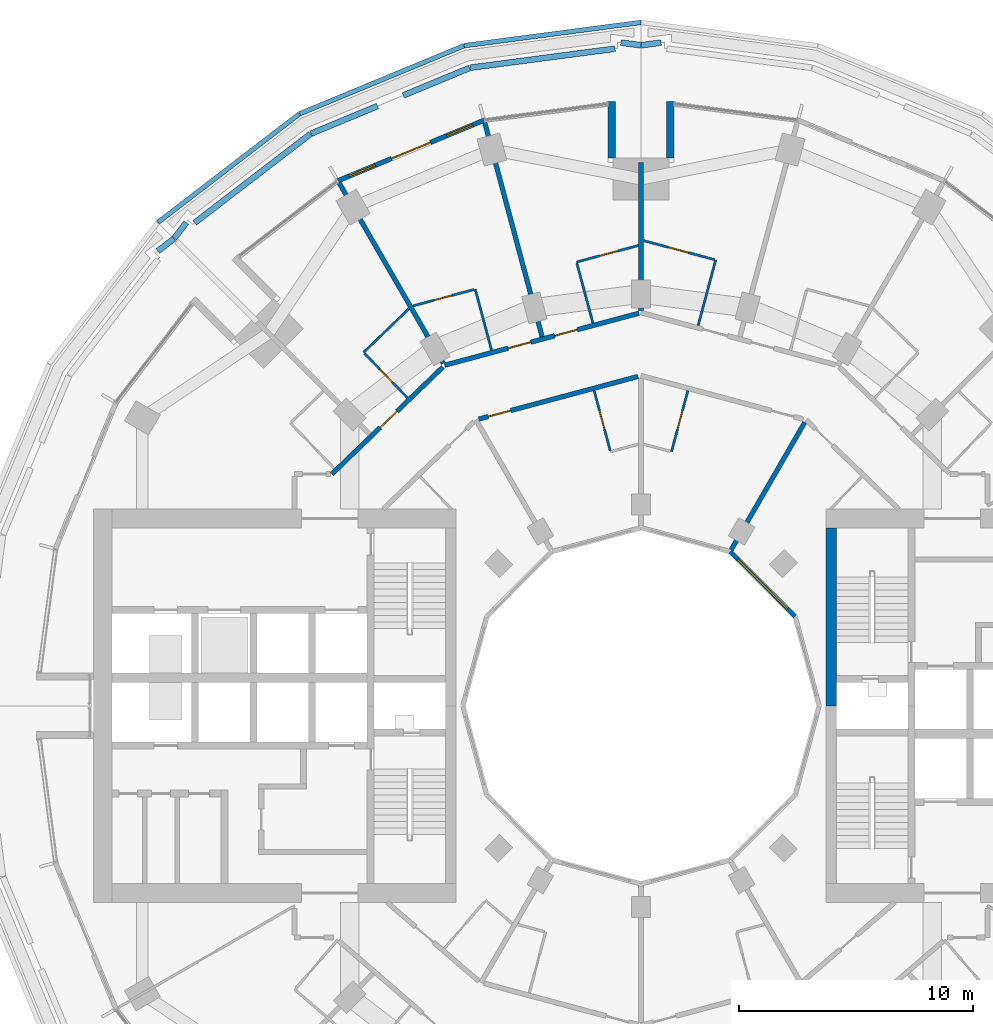
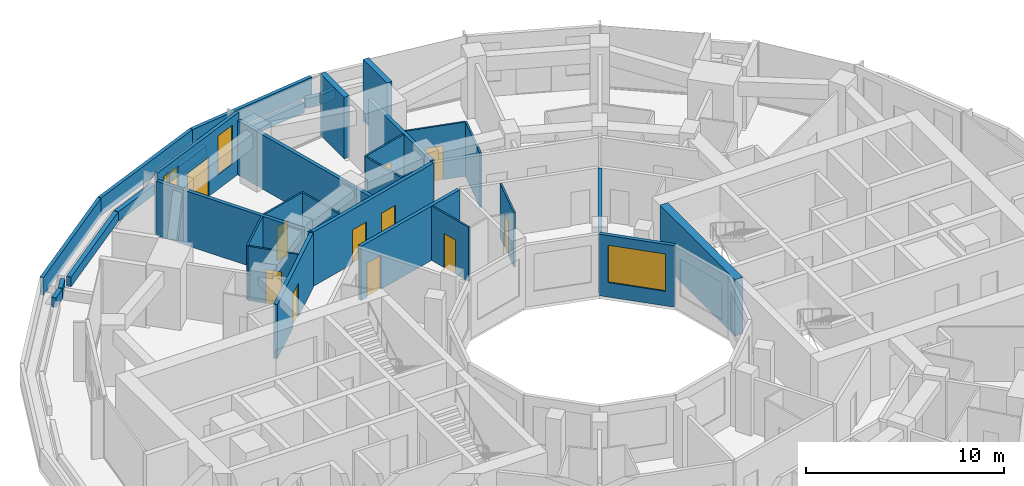
# One storey, part 15 of 19: 33 walls, 11 doors, 3 windows, 14 openings.
"""IFC4 building model written with IfcOpenShell, lengths in metres."""

from ifc_helpers import new_model, si_unit, direction, frame, frame_2d, origin, place, context, subcontext, project, spatial, rectangle, extrude, material, layer, layer_set, type_object, element, fill, save


model = new_model("IFC4")

# Units and contexts
model_context = context("Model", 3, precision=1e-05, world=origin(), true_north=direction((0.0, 1.0)))
body_context = subcontext(model_context, "Body", "Model", "MODEL_VIEW")
ifc_project = project(units=[si_unit("LENGTHUNIT", "METRE"), si_unit("AREAUNIT", "SQUARE_METRE"), si_unit("VOLUMEUNIT", "CUBIC_METRE"), si_unit("PLANEANGLEUNIT", "RADIAN"), si_unit("MASSUNIT", "GRAM", prefix="KILO")], contexts=[model_context])

# Site, building, storey
site_placement = place(None, origin())
site = spatial("IfcSite", under=ifc_project, at=site_placement, CompositionType="ELEMENT")
building_placement = place(site_placement, origin())
building = spatial("IfcBuilding", under=site, at=building_placement, Name="Torre Brocal", CompositionType="ELEMENT")
storey_placement = place(building_placement, frame((0.0, 0.0, 28.800048828125)))
storey = spatial("IfcBuildingStorey", under=building, at=storey_placement, Name="L05", CompositionType="ELEMENT", Elevation=28.800048828125)

# Wall
ifc_material_1 = material(Name="Concrete C80", Category="concrete")
ifc_layer_1 = layer(ifc_material_1, 0.449951171875)
ifc_layer_set_1 = layer_set([ifc_layer_1], Name="Concrete C80")
wall_type_1 = type_object("IfcWallType", Name="CORE WALL 450 C80", PredefinedType="SHEAR", material=ifc_layer_set_1)
wall_1_placement = place(storey_placement, frame((88.125, 75.0, 0.0), z_axis=(0.0, 0.0, 1.0), x_axis=(0.0, 1.0, 0.0)))
element("IfcWall", 1, at=wall_1_placement, inside=storey, type_object=wall_type_1, Name="Wall CW450-80", PredefinedType="SHEAR", context=body_context, shape_type="SweptSolid", body=[
    extrude(rectangle(XDim=7.60009765625, YDim=0.449951171875, at=frame_2d((3.800048828125, 0.0))), origin(), (0.0, 0.0, 1.0), 3.47998046875),
])

# Wall, openings, door, windows
ifc_material_2 = material(Name="Concrete C40", Category="concrete")
ifc_layer_2 = layer(ifc_material_2, 0.199951171875)
ifc_layer_set_2 = layer_set([ifc_layer_2], Name="Concrete C40")
wall_type_2 = type_object("IfcWallType", Name="EXTERNAL WALL 200", PredefinedType="NOTDEFINED", material=ifc_layer_set_2)
wall_2_placement = place(storey_placement, frame((73.296875, 100.0166015625, 0.0), z_axis=(0.0, 0.0, 1.0), x_axis=(-0.923875115043, -0.382694096902, 0.0)))
wall_2 = element("IfcWall", 2, at=wall_2_placement, inside=storey, type_object=wall_type_2, Name="EXTERNAL WALL", PredefinedType="NOTDEFINED", context=body_context, shape_type="SweptSolid", body=[
    extrude(rectangle(XDim=6.760986328125, YDim=0.199951171875, at=frame_2d((3.38037109375, 0.0))), origin(), (0.0, 0.0, 1.0), 3.800048828125),
])
opening_1_placement = place(wall_2_placement, frame((0.52685546875, 0.0, 0.89990234375)))
opening_1 = element("IfcOpeningElement", 3, at=opening_1_placement, cuts=wall_2, Name="Opening W3", PredefinedType="OPENING", context=body_context, shape_type="SweptSolid", body=[
    extrude(rectangle(XDim=1.199951171875, YDim=2.39990234375, at=frame_2d((0.60009765625, 1.199951171875))), frame((0.0, 0.10986328125, 0.0), z_axis=(0.0, -1.0, 0.0), x_axis=(1.0, 0.0, 0.0)), (0.0, 0.0, 1.0), 0.219970703125),
])
opening_2_placement = place(wall_2_placement, frame((2.48046875, 0.0, 0.0)))
opening_2 = element("IfcOpeningElement", 4, at=opening_2_placement, cuts=wall_2, Name="Opening L05-E03", PredefinedType="OPENING", context=body_context, shape_type="SweptSolid", body=[
    extrude(rectangle(XDim=1.800048828125, YDim=2.39990234375, at=frame_2d((0.89990234375, 1.199951171875))), frame((0.0, 0.10986328125, 0.0), z_axis=(0.0, -1.0, 0.0), x_axis=(1.0, 0.0, 0.0)), (0.0, 0.0, 1.0), 0.219970703125),
])
opening_3_placement = place(wall_2_placement, frame((5.0341796875, 0.0, 0.89990234375)))
opening_3 = element("IfcOpeningElement", 5, at=opening_3_placement, cuts=wall_2, Name="Opening W3", PredefinedType="OPENING", context=body_context, shape_type="SweptSolid", body=[
    extrude(rectangle(XDim=1.199951171875, YDim=2.39990234375, at=frame_2d((0.60009765625, 1.199951171875))), frame((0.0, 0.10986328125, 0.0), z_axis=(0.0, -1.0, 0.0), x_axis=(1.0, 0.0, 0.0)), (0.0, 0.0, 1.0), 0.219970703125),
])
ifc_material_3 = material(Name="Aluminium and glass", Category="aluminium")
door_type_1 = type_object("IfcDoorType", Name="TERRACE DOUBLE DOOR 1800X2400", OperationType="DOUBLE_DOOR_SINGLE_SWING", PredefinedType="DOOR", material=ifc_material_3)
door_1_placement = place(opening_2_placement, frame((1.800048828125, 0.0, 0.0), z_axis=(0.0, 0.0, 1.0), x_axis=(-1.0, 0.0, 0.0)))
door_1 = element("IfcDoor", 6, at=door_1_placement, inside=storey, type_object=door_type_1, Name="DOOR L05-E03", OperationType="DOUBLE_DOOR_SINGLE_SWING", OverallHeight=2.39990234375, OverallWidth=1.800048828125, PredefinedType="DOOR", context=body_context, shape_type="SweptSolid", body=[
    extrude(rectangle(XDim=1.800048828125, YDim=2.39990234375, at=frame_2d((0.89990234375, 1.199951171875))), frame((0.0, 0.02490234375, 0.0), z_axis=(0.0, -1.0, 0.0), x_axis=(1.0, 0.0, 0.0)), (0.0, 0.0, 1.0), 0.050048828125),
])
fill(opening_2, door_1)
ifc_material_4 = material(Name="Aluminium and glass", Category="aluminium")
window_type_1 = type_object("IfcWindowType", Name="TERRACE WINDOW 1200X2400", PartitioningType="SINGLE_PANEL", PredefinedType="WINDOW", material=ifc_material_4)
window_1_placement = place(opening_1_placement, origin())
window_1 = element("IfcWindow", 7, at=window_1_placement, inside=storey, type_object=window_type_1, Name="TERRACE WINDOW 1200X2400", OverallHeight=2.39990234375, OverallWidth=1.199951171875, PartitioningType="SINGLE_PANEL", PredefinedType="WINDOW", context=body_context, shape_type="SweptSolid", body=[
    extrude(rectangle(XDim=1.199951171875, YDim=2.39990234375, at=frame_2d((0.60009765625, 1.199951171875))), frame((0.0, 0.030029296875, 0.0), z_axis=(0.0, -1.0, 0.0), x_axis=(1.0, 0.0, 0.0)), (0.0, 0.0, 1.0), 0.06005859375),
])
fill(opening_1, window_1)
window_2_placement = place(opening_3_placement, origin())
window_2 = element("IfcWindow", 8, at=window_2_placement, inside=storey, type_object=window_type_1, Name="TERRACE WINDOW 1200X2400", OverallHeight=2.39990234375, OverallWidth=1.199951171875, PartitioningType="SINGLE_PANEL", PredefinedType="WINDOW", context=body_context, shape_type="SweptSolid", body=[
    extrude(rectangle(XDim=1.199951171875, YDim=2.39990234375, at=frame_2d((0.60009765625, 1.199951171875))), frame((0.0, 0.030029296875, 0.0), z_axis=(0.0, -1.0, 0.0), x_axis=(1.0, 0.0, 0.0)), (0.0, 0.0, 1.0), 0.06005859375),
])
fill(opening_3, window_2)

# Walls
ifc_material_5 = material(Name="Concrete C80", Category="concrete")
ifc_layer_3 = layer(ifc_material_5, 0.300048828125)
ifc_layer_set_3 = layer_set([ifc_layer_3], Name="Concrete C80")
wall_type_3 = type_object("IfcWallType", Name="NOTCH RETURN WALL 300 C80", PredefinedType="NOTDEFINED", material=ifc_layer_set_3)
for number, where, z_axis, x_axis, name in (
    (9, (81.25, 98.39990234375, 0.0), (0.0, 0.0, 1.0), (0.0, 1.0, 0.0), "NOTCH RETURN WALL"),
    (10, (78.75, 98.39990234375, 0.0), (0.0, 0.0, 1.0), (0.0, 1.0, 0.0), "NOTCH RETURN WALL"),
):
    element("IfcWall", number, at=place(storey_placement, frame(where, z_axis=z_axis, x_axis=x_axis)), inside=storey, type_object=wall_type_3, Name=name, PredefinedType="NOTDEFINED", context=body_context, shape_type="SweptSolid", body=[
        extrude(rectangle(XDim=2.415771484375, YDim=0.300048828125, at=frame_2d((1.2080078125, 0.0))), origin(), (0.0, 0.0, 1.0), 3.800048828125),
    ])
ifc_material_6 = material(Name="Concrete C40", Category="concrete")
ifc_layer_4 = layer(ifc_material_6, 0.199951171875)
ifc_layer_set_4 = layer_set([ifc_layer_4], Name="Concrete C40")
wall_type_4 = type_object("IfcWallType", Name="PARAPET WALL 200 THICK 1100 HIGH 6", PredefinedType="PARAPET", material=ifc_layer_set_4)
wall_3_placement = place(storey_placement, frame((59.36474609375, 95.65380859375, 0.0), z_axis=(0.0, 0.0, 1.0), x_axis=(0.793367808682, 0.608742572971, 0.0)))
element("IfcWall", 11, at=wall_3_placement, inside=storey, type_object=wall_type_4, Name="PARAPET WALL 16", PredefinedType="PARAPET", context=body_context, shape_type="SweptSolid", body=[
    extrude(rectangle(XDim=7.595703125, YDim=0.199951171875, at=frame_2d((3.7978515625, 0.0))), origin(), (0.0, 0.0, 1.0), 1.099853515625),
])
wall_4_placement = place(storey_placement, frame((65.41357421875, 100.290771484375, 0.0), z_axis=(0.0, 0.0, 1.0), x_axis=(0.923876582616, 0.382690553965, 0.0)))
element("IfcWall", 12, at=wall_4_placement, inside=storey, type_object=wall_type_4, Name="PARAPET WALL 17", PredefinedType="PARAPET", context=body_context, shape_type="SweptSolid", body=[
    extrude(rectangle(XDim=7.595458984375, YDim=0.199951171875, at=frame_2d((3.7978515625, 0.0))), origin(), (0.0, 0.0, 1.0), 1.099853515625),
])
wall_5_placement = place(storey_placement, frame((72.456298828125, 103.204345703125, 0.0), z_axis=(0.0, 0.0, 1.0), x_axis=(0.991444665631, 0.130527679023, 0.0)))
element("IfcWall", 13, at=wall_5_placement, inside=storey, type_object=wall_type_4, Name="PARAPET WALL 18", PredefinedType="PARAPET", context=body_context, shape_type="SweptSolid", body=[
    extrude(rectangle(XDim=7.595703125, YDim=0.199951171875, at=frame_2d((3.7978515625, 0.0))), origin(), (0.0, 0.0, 1.0), 1.099853515625),
])

# Wall, opening, door
ifc_material_7 = material(Name="Gypsum board", Category="Gypsum")
ifc_layer_5 = layer(ifc_material_7, 0.10009765625)
ifc_layer_set_5 = layer_set([ifc_layer_5], Name="Gypsum board")
wall_type_5 = type_object("IfcWallType", Name="PARTITION 100", PredefinedType="PARTITIONING", material=ifc_layer_set_5)
wall_6_placement = place(storey_placement, frame((68.184814453125, 90.06005859375, 0.0), z_axis=(0.0, 0.0, 1.0), x_axis=(0.69446127412, -0.719530081892, 0.0)))
wall_6 = element("IfcWall", 14, at=wall_6_placement, inside=storey, type_object=wall_type_5, Name="BATHROOM WALL", PredefinedType="PARTITIONING", context=body_context, shape_type="SweptSolid", body=[
    extrude(rectangle(XDim=2.64892578125, YDim=0.10009765625, at=frame_2d((1.324462890625, 0.0))), origin(), (0.0, 0.0, 1.0), 3.349853515625),
])
opening_4_placement = place(wall_6_placement, frame((0.94970703125, 0.0, 0.0)))
opening_4 = element("IfcOpeningElement", 15, at=opening_4_placement, cuts=wall_6, Name="Opening H01-D15", PredefinedType="OPENING", context=body_context, shape_type="SweptSolid", body=[
    extrude(rectangle(XDim=0.800048828125, YDim=2.10009765625, at=frame_2d((0.39990234375, 1.050048828125))), frame((0.0, 0.06005859375, 0.0), z_axis=(0.0, -1.0, 0.0), x_axis=(1.0, 0.0, 0.0)), (0.0, 0.0, 1.0), 0.1201171875),
])
ifc_material_8 = material(Name="Timber", Category="wood")
door_type_2 = type_object("IfcDoorType", Name="BATHROOM DOOR 800X2100", OperationType="SINGLE_SWING_LEFT", PredefinedType="DOOR", material=ifc_material_8)
door_2_placement = place(opening_4_placement, origin())
door_2 = element("IfcDoor", 16, at=door_2_placement, inside=storey, type_object=door_type_2, Name="H01-D15", OperationType="SINGLE_SWING_RIGHT", OverallHeight=2.10009765625, OverallWidth=0.800048828125, PredefinedType="DOOR", context=body_context, shape_type="SweptSolid", body=[
    extrude(rectangle(XDim=0.800048828125, YDim=2.10009765625, at=frame_2d((0.39990234375, 1.050048828125))), frame((0.0, 0.02490234375, 0.0), z_axis=(0.0, -1.0, 0.0), x_axis=(1.0, 0.0, 0.0)), (0.0, 0.0, 1.0), 0.050048828125),
])
fill(opening_4, door_2)

# Wall
wall_7_placement = place(storey_placement, frame((68.14990234375, 90.09619140625, 0.0), z_axis=(0.0, 0.0, 1.0), x_axis=(0.719669144226, 0.694317163009, 0.0)))
element("IfcWall", 17, at=wall_7_placement, inside=storey, type_object=wall_type_5, Name="BATHROOM WALL", PredefinedType="PARTITIONING", context=body_context, shape_type="SweptSolid", body=[
    extrude(rectangle(XDim=2.686767578125, YDim=0.10009765625, at=frame_2d((1.34326171875, 0.0))), origin(), (0.0, 0.0, 1.0), 3.349853515625),
])

# Wall, opening, door
wall_8_placement = place(storey_placement, frame((70.26806640625, 92.087158203125, 0.0), z_axis=(0.0, 0.0, 1.0), x_axis=(0.965931867509, 0.258796497911, 0.0)))
wall_8 = element("IfcWall", 18, at=wall_8_placement, inside=storey, type_object=wall_type_5, Name="BATHROOM WALL", PredefinedType="PARTITIONING", context=body_context, shape_type="SweptSolid", body=[
    extrude(rectangle(XDim=2.693359375, YDim=0.10009765625, at=frame_2d((1.3466796875, 0.0))), origin(), (0.0, 0.0, 1.0), 3.349853515625),
])
opening_5_placement = place(wall_8_placement, frame((0.91162109375, 0.0, 0.0)))
opening_5 = element("IfcOpeningElement", 19, at=opening_5_placement, cuts=wall_8, Name="Opening H01-D13", PredefinedType="OPENING", context=body_context, shape_type="SweptSolid", body=[
    extrude(rectangle(XDim=0.800048828125, YDim=2.10009765625, at=frame_2d((0.39990234375, 1.050048828125))), frame((0.0, 0.06005859375, 0.0), z_axis=(0.0, -1.0, 0.0), x_axis=(1.0, 0.0, 0.0)), (0.0, 0.0, 1.0), 0.1201171875),
])
door_3_placement = place(opening_5_placement, frame((0.800048828125, 0.0, 0.0), z_axis=(0.0, 0.0, 1.0), x_axis=(-1.0, 0.0, 0.0)))
door_3 = element("IfcDoor", 20, at=door_3_placement, inside=storey, type_object=door_type_2, Name="H01-D13", OperationType="SINGLE_SWING_RIGHT", OverallHeight=2.10009765625, OverallWidth=0.800048828125, PredefinedType="DOOR", context=body_context, shape_type="SweptSolid", body=[
    extrude(rectangle(XDim=0.800048828125, YDim=2.10009765625, at=frame_2d((0.39990234375, 1.050048828125))), frame((0.0, 0.02490234375, 0.0), z_axis=(0.0, -1.0, 0.0), x_axis=(1.0, 0.0, 0.0)), (0.0, 0.0, 1.0), 0.050048828125),
])
fill(opening_5, door_3)

# Walls
wall_9_placement = place(storey_placement, frame((72.91796875, 92.797119140625, 0.0), z_axis=(0.0, 0.0, 1.0), x_axis=(0.25867580527, -0.965964195904, 0.0)))
element("IfcWall", 21, at=wall_9_placement, inside=storey, type_object=wall_type_5, Name="BATHROOM WALL", PredefinedType="PARTITIONING", context=body_context, shape_type="SweptSolid", body=[
    extrude(rectangle(XDim=2.69921875, YDim=0.10009765625, at=frame_2d((1.349609375, 0.0))), origin(), (0.0, 0.0, 1.0), 3.349853515625),
])
wall_10_placement = place(storey_placement, frame((77.260009765625, 93.90869140625, 0.0), z_axis=(0.0, 0.0, 1.0), x_axis=(0.258935674139, -0.965894568086, 0.0)))
element("IfcWall", 22, at=wall_10_placement, inside=storey, type_object=wall_type_5, Name="BATHROOM WALL", PredefinedType="PARTITIONING", context=body_context, shape_type="SweptSolid", body=[
    extrude(rectangle(XDim=2.6494140625, YDim=0.10009765625, at=frame_2d((1.32470703125, 0.0))), origin(), (0.0, 0.0, 1.0), 3.349853515625),
])

# Wall, opening, door
wall_11_placement = place(storey_placement, frame((77.2470703125, 93.956787109375, 0.0), z_axis=(0.0, 0.0, 1.0), x_axis=(0.965922199757, 0.258832579125, 0.0)))
wall_11 = element("IfcWall", 23, at=wall_11_placement, inside=storey, type_object=wall_type_5, Name="BATHROOM WALL", PredefinedType="PARTITIONING", context=body_context, shape_type="SweptSolid", body=[
    extrude(rectangle(XDim=2.739990234375, YDim=0.10009765625, at=frame_2d((1.3701171875, 0.0))), origin(), (0.0, 0.0, 1.0), 3.349853515625),
])
opening_6_placement = place(wall_11_placement, frame((1.025146484375, 0.0, 0.0)))
opening_6 = element("IfcOpeningElement", 24, at=opening_6_placement, cuts=wall_11, Name="Opening H01-D11", PredefinedType="OPENING", context=body_context, shape_type="SweptSolid", body=[
    extrude(rectangle(XDim=0.800048828125, YDim=2.10009765625, at=frame_2d((0.39990234375, 1.050048828125))), frame((0.0, 0.06005859375, 0.0), z_axis=(0.0, -1.0, 0.0), x_axis=(1.0, 0.0, 0.0)), (0.0, 0.0, 1.0), 0.1201171875),
])
door_4_placement = place(opening_6_placement, frame((0.800048828125, 0.0, 0.0), z_axis=(0.0, 0.0, 1.0), x_axis=(-1.0, 0.0, 0.0)))
door_4 = element("IfcDoor", 25, at=door_4_placement, inside=storey, type_object=door_type_2, Name="H01-D11", OperationType="SINGLE_SWING_LEFT", OverallHeight=2.10009765625, OverallWidth=0.800048828125, PredefinedType="DOOR", context=body_context, shape_type="SweptSolid", body=[
    extrude(rectangle(XDim=0.800048828125, YDim=2.10009765625, at=frame_2d((0.39990234375, 1.050048828125))), frame((0.0, 0.02490234375, 0.0), z_axis=(0.0, -1.0, 0.0), x_axis=(1.0, 0.0, 0.0)), (0.0, 0.0, 1.0), 0.050048828125),
])
fill(opening_6, door_4)

wall_12_placement = place(storey_placement, frame((77.997802734375, 88.46337890625, 0.0), z_axis=(0.0, 0.0, 1.0), x_axis=(0.258677737588, -0.965963678446, 0.0)))
wall_12 = element("IfcWall", 26, at=wall_12_placement, inside=storey, type_object=wall_type_5, Name="BATHROOM WALL", PredefinedType="PARTITIONING", context=body_context, shape_type="SweptSolid", body=[
    extrude(rectangle(XDim=2.649169921875, YDim=0.10009765625, at=frame_2d((1.32470703125, 0.0))), origin(), (0.0, 0.0, 1.0), 3.349853515625),
])
opening_7_placement = place(wall_12_placement, frame((0.899658203125, 0.0, 0.0)))
opening_7 = element("IfcOpeningElement", 27, at=opening_7_placement, cuts=wall_12, Name="Opening H01-D23", PredefinedType="OPENING", context=body_context, shape_type="SweptSolid", body=[
    extrude(rectangle(XDim=0.800048828125, YDim=2.10009765625, at=frame_2d((0.39990234375, 1.050048828125))), frame((0.0, 0.06005859375, 0.0), z_axis=(0.0, -1.0, 0.0), x_axis=(1.0, 0.0, 0.0)), (0.0, 0.0, 1.0), 0.1201171875),
])
door_5_placement = place(opening_7_placement, origin())
door_5 = element("IfcDoor", 28, at=door_5_placement, inside=storey, type_object=door_type_2, Name="H01-D23", OperationType="SINGLE_SWING_LEFT", OverallHeight=2.10009765625, OverallWidth=0.800048828125, PredefinedType="DOOR", context=body_context, shape_type="SweptSolid", body=[
    extrude(rectangle(XDim=0.800048828125, YDim=2.10009765625, at=frame_2d((0.39990234375, 1.050048828125))), frame((0.0, 0.02490234375, 0.0), z_axis=(0.0, -1.0, 0.0), x_axis=(1.0, 0.0, 0.0)), (0.0, 0.0, 1.0), 0.050048828125),
])
fill(opening_7, door_5)

wall_13_placement = place(storey_placement, frame((80.106201171875, 94.87353515625, 0.0), z_axis=(0.0, 0.0, 1.0), x_axis=(0.965915808883, -0.258856427676, 0.0)))
wall_13 = element("IfcWall", 29, at=wall_13_placement, inside=storey, type_object=wall_type_5, Name="BATHROOM WALL", PredefinedType="PARTITIONING", context=body_context, shape_type="SweptSolid", body=[
    extrude(rectangle(XDim=3.1435546875, YDim=0.10009765625, at=frame_2d((1.57177734375, 0.0))), origin(), (0.0, 0.0, 1.0), 3.349853515625),
])
opening_8_placement = place(wall_13_placement, frame((1.091796875, 0.0, 0.0)))
opening_8 = element("IfcOpeningElement", 30, at=opening_8_placement, cuts=wall_13, Name="Opening H01-D09", PredefinedType="OPENING", context=body_context, shape_type="SweptSolid", body=[
    extrude(rectangle(XDim=0.89990234375, YDim=2.10009765625, at=frame_2d((0.449951171875, 1.050048828125))), frame((0.0, 0.06005859375, 0.0), z_axis=(0.0, -1.0, 0.0), x_axis=(1.0, 0.0, 0.0)), (0.0, 0.0, 1.0), 0.1201171875),
])
ifc_material_9 = material(Name="Timber", Category="wood")
door_type_3 = type_object("IfcDoorType", Name="ACCESSIBLE BATHROOM DOOR 900X2100", OperationType="SINGLE_SWING_LEFT", PredefinedType="DOOR", material=ifc_material_9)
door_6_placement = place(opening_8_placement, frame((0.89990234375, 0.0, 0.0), z_axis=(0.0, 0.0, 1.0), x_axis=(-1.0, 0.0, 0.0)))
door_6 = element("IfcDoor", 31, at=door_6_placement, inside=storey, type_object=door_type_3, Name="H01-D09", OperationType="SINGLE_SWING_RIGHT", OverallHeight=2.10009765625, OverallWidth=0.89990234375, PredefinedType="DOOR", context=body_context, shape_type="SweptSolid", body=[
    extrude(rectangle(XDim=0.89990234375, YDim=2.10009765625, at=frame_2d((0.449951171875, 1.050048828125))), frame((0.0, 0.02490234375, 0.0), z_axis=(0.0, -1.0, 0.0), x_axis=(1.0, 0.0, 0.0)), (0.0, 0.0, 1.0), 0.050048828125),
])
fill(opening_8, door_6)

wall_14_placement = place(storey_placement, frame((81.303955078125, 85.85595703125, 0.0), z_axis=(0.0, 0.0, 1.0), x_axis=(0.25867580527, 0.965964195904, 0.0)))
wall_14 = element("IfcWall", 32, at=wall_14_placement, inside=storey, type_object=wall_type_5, Name="BATHROOM WALL", PredefinedType="PARTITIONING", context=body_context, shape_type="SweptSolid", body=[
    extrude(rectangle(XDim=2.69921875, YDim=0.10009765625, at=frame_2d((1.349609375, 0.0))), origin(), (0.0, 0.0, 1.0), 3.349853515625),
])
opening_9_placement = place(wall_14_placement, frame((0.99951171875, 0.0, 0.0)))
opening_9 = element("IfcOpeningElement", 33, at=opening_9_placement, cuts=wall_14, Name="Opening H01-D21", PredefinedType="OPENING", context=body_context, shape_type="SweptSolid", body=[
    extrude(rectangle(XDim=0.800048828125, YDim=2.10009765625, at=frame_2d((0.39990234375, 1.050048828125))), frame((0.0, 0.06005859375, 0.0), z_axis=(0.0, -1.0, 0.0), x_axis=(1.0, 0.0, 0.0)), (0.0, 0.0, 1.0), 0.1201171875),
])
door_7_placement = place(opening_9_placement, origin())
door_7 = element("IfcDoor", 34, at=door_7_placement, inside=storey, type_object=door_type_2, Name="H01-D21", OperationType="SINGLE_SWING_RIGHT", OverallHeight=2.10009765625, OverallWidth=0.800048828125, PredefinedType="DOOR", context=body_context, shape_type="SweptSolid", body=[
    extrude(rectangle(XDim=0.800048828125, YDim=2.10009765625, at=frame_2d((0.39990234375, 1.050048828125))), frame((0.0, 0.02490234375, 0.0), z_axis=(0.0, -1.0, 0.0), x_axis=(1.0, 0.0, 0.0)), (0.0, 0.0, 1.0), 0.050048828125),
])
fill(opening_9, door_7)

# Wall
wall_15_placement = place(storey_placement, frame((82.44091796875, 91.24560546875, 0.0), z_axis=(0.0, 0.0, 1.0), x_axis=(0.258605640326, 0.965982982662, 0.0)))
element("IfcWall", 35, at=wall_15_placement, inside=storey, type_object=wall_type_5, Name="BATHROOM WALL", PredefinedType="PARTITIONING", context=body_context, shape_type="SweptSolid", body=[
    extrude(rectangle(XDim=2.900146484375, YDim=0.10009765625, at=frame_2d((1.4501953125, 0.0))), origin(), (0.0, 0.0, 1.0), 3.349853515625),
])

# Wall, opening, door
ifc_material_10 = material(Name="Gypsum board", Category="Gypsum")
ifc_layer_6 = layer(ifc_material_10, 0.199951171875)
ifc_layer_set_6 = layer_set([ifc_layer_6], Name="Gypsum board")
wall_type_6 = type_object("IfcWallType", Name="PARTITION 200 EI60", PredefinedType="PARTITIONING", material=ifc_layer_set_6)
wall_16_placement = place(storey_placement, frame((66.7958984375, 84.89990234375, 0.0), z_axis=(0.0, 0.0, 1.0), x_axis=(0.719690131178, 0.694295409092, 0.0)))
wall_16 = element("IfcWall", 36, at=wall_16_placement, inside=storey, type_object=wall_type_6, Name="GUESTROOM CORRIDOR WALL", PredefinedType="PARTITIONING", context=body_context, shape_type="SweptSolid", body=[
    extrude(rectangle(XDim=6.58544921875, YDim=0.199951171875, at=frame_2d((3.292724609375, 0.0))), origin(), (0.0, 0.0, 1.0), 3.349853515625),
])
opening_10_placement = place(wall_16_placement, frame((2.866943359375, 0.0, 0.0)))
opening_10 = element("IfcOpeningElement", 37, at=opening_10_placement, cuts=wall_16, Name="Opening H01-D14", PredefinedType="OPENING", context=body_context, shape_type="SweptSolid", body=[
    extrude(rectangle(XDim=1.0, YDim=2.10009765625, at=frame_2d((0.5, 1.050048828125))), frame((0.0, 0.10986328125, 0.0), z_axis=(0.0, -1.0, 0.0), x_axis=(1.0, 0.0, 0.0)), (0.0, 0.0, 1.0), 0.219970703125),
])
ifc_material_11 = material(Name="Timber", Category="wood")
door_type_4 = type_object("IfcDoorType", Name="FLAT ENTRY DOOR FD30S 1000X2100", OperationType="SINGLE_SWING_RIGHT", PredefinedType="DOOR", material=ifc_material_11)
door_8_placement = place(opening_10_placement, origin())
door_8 = element("IfcDoor", 38, at=door_8_placement, inside=storey, type_object=door_type_4, Name="H01-D14", OperationType="SINGLE_SWING_LEFT", OverallHeight=2.10009765625, OverallWidth=1.0, PredefinedType="DOOR", context=body_context, shape_type="SweptSolid", body=[
    extrude(rectangle(XDim=1.0, YDim=2.10009765625, at=frame_2d((0.5, 1.050048828125))), frame((0.0, 0.02490234375, 0.0), z_axis=(0.0, -1.0, 0.0), x_axis=(1.0, 0.0, 0.0)), (0.0, 0.0, 1.0), 0.050048828125),
])
fill(opening_10, door_8)

# Wall
wall_17_placement = place(storey_placement, frame((67.10205078125, 97.341796875, 0.0), z_axis=(0.0, 0.0, 1.0), x_axis=(0.499944680089, -0.866057340394, 0.0)))
element("IfcWall", 39, at=wall_17_placement, inside=storey, type_object=wall_type_6, Name="BATHROOM WALL", PredefinedType="PARTITIONING", context=body_context, shape_type="SweptSolid", body=[
    extrude(rectangle(XDim=8.90771484375, YDim=0.199951171875, at=frame_2d((4.453857421875, 0.0))), origin(), (0.0, 0.0, 1.0), 3.349853515625),
])

# Wall, openings, doors
wall_18_placement = place(storey_placement, frame((71.61376953125, 89.5498046875, 0.0), z_axis=(0.0, 0.0, 1.0), x_axis=(0.965982156828, 0.258608725086, 0.0)))
wall_18 = element("IfcWall", 40, at=wall_18_placement, inside=storey, type_object=wall_type_6, Name="GUESTROOM CORRIDOR WALL", PredefinedType="PARTITIONING", context=body_context, shape_type="SweptSolid", body=[
    extrude(rectangle(XDim=8.591796875, YDim=0.199951171875, at=frame_2d((4.2958984375, 0.0))), origin(), (0.0, 0.0, 1.0), 3.349853515625),
])
opening_11_placement = place(wall_18_placement, frame((4.864990234375, 0.0, 0.0)))
opening_11 = element("IfcOpeningElement", 41, at=opening_11_placement, cuts=wall_18, Name="Opening H01-D10", PredefinedType="OPENING", context=body_context, shape_type="SweptSolid", body=[
    extrude(rectangle(XDim=1.0, YDim=2.10009765625, at=frame_2d((0.5, 1.050048828125))), frame((0.0, 0.10986328125, 0.0), z_axis=(0.0, -1.0, 0.0), x_axis=(1.0, 0.0, 0.0)), (0.0, 0.0, 1.0), 0.219970703125),
])
opening_12_placement = place(wall_18_placement, frame((2.804443359375, 0.0, 0.0)))
opening_12 = element("IfcOpeningElement", 42, at=opening_12_placement, cuts=wall_18, Name="Opening H01-D12", PredefinedType="OPENING", context=body_context, shape_type="SweptSolid", body=[
    extrude(rectangle(XDim=1.0, YDim=2.10009765625, at=frame_2d((0.5, 1.050048828125))), frame((0.0, 0.10986328125, 0.0), z_axis=(0.0, -1.0, 0.0), x_axis=(1.0, 0.0, 0.0)), (0.0, 0.0, 1.0), 0.219970703125),
])
door_9_placement = place(opening_11_placement, origin())
door_9 = element("IfcDoor", 43, at=door_9_placement, inside=storey, type_object=door_type_4, Name="H01-D10", OperationType="SINGLE_SWING_LEFT", OverallHeight=2.10009765625, OverallWidth=1.0, PredefinedType="DOOR", context=body_context, shape_type="SweptSolid", body=[
    extrude(rectangle(XDim=1.0, YDim=2.10009765625, at=frame_2d((0.5, 1.050048828125))), frame((0.0, 0.02490234375, 0.0), z_axis=(0.0, -1.0, 0.0), x_axis=(1.0, 0.0, 0.0)), (0.0, 0.0, 1.0), 0.050048828125),
])
fill(opening_11, door_9)
door_10_placement = place(opening_12_placement, origin())
door_10 = element("IfcDoor", 44, at=door_10_placement, inside=storey, type_object=door_type_4, Name="H01-D12", OperationType="SINGLE_SWING_RIGHT", OverallHeight=2.10009765625, OverallWidth=1.0, PredefinedType="DOOR", context=body_context, shape_type="SweptSolid", body=[
    extrude(rectangle(XDim=1.0, YDim=2.10009765625, at=frame_2d((0.5, 1.050048828125))), frame((0.0, 0.02490234375, 0.0), z_axis=(0.0, -1.0, 0.0), x_axis=(1.0, 0.0, 0.0)), (0.0, 0.0, 1.0), 0.050048828125),
])
fill(opening_12, door_10)

# Wall, opening, door
wall_19_placement = place(storey_placement, frame((73.0712890625, 87.2470703125, 0.0), z_axis=(0.0, 0.0, 1.0), x_axis=(0.965931651205, 0.258797305243, 0.0)))
wall_19 = element("IfcWall", 45, at=wall_19_placement, inside=storey, type_object=wall_type_6, Name="GUESTROOM CORRIDOR WALL", PredefinedType="PARTITIONING", context=body_context, shape_type="SweptSolid", body=[
    extrude(rectangle(XDim=7.043212890625, YDim=0.199951171875, at=frame_2d((3.521484375, 0.0))), origin(), (0.0, 0.0, 1.0), 3.349853515625),
])
opening_13_placement = place(wall_19_placement, frame((0.409912109375, 0.0, 0.0)))
opening_13 = element("IfcOpeningElement", 46, at=opening_13_placement, cuts=wall_19, Name="Opening H01-D22", PredefinedType="OPENING", context=body_context, shape_type="SweptSolid", body=[
    extrude(rectangle(XDim=1.0, YDim=2.10009765625, at=frame_2d((0.5, 1.050048828125))), frame((0.0, 0.10986328125, 0.0), z_axis=(0.0, -1.0, 0.0), x_axis=(1.0, 0.0, 0.0)), (0.0, 0.0, 1.0), 0.219970703125),
])
door_11_placement = place(opening_13_placement, frame((1.0, 0.0, 0.0), z_axis=(0.0, 0.0, 1.0), x_axis=(-1.0, 0.0, 0.0)))
door_11 = element("IfcDoor", 47, at=door_11_placement, inside=storey, type_object=door_type_4, Name="H01-D22", OperationType="SINGLE_SWING_RIGHT", OverallHeight=2.10009765625, OverallWidth=1.0, PredefinedType="DOOR", context=body_context, shape_type="SweptSolid", body=[
    extrude(rectangle(XDim=1.0, YDim=2.10009765625, at=frame_2d((0.5, 1.050048828125))), frame((0.0, 0.02490234375, 0.0), z_axis=(0.0, -1.0, 0.0), x_axis=(1.0, 0.0, 0.0)), (0.0, 0.0, 1.0), 0.050048828125),
])
fill(opening_13, door_11)

# Walls
wall_20_placement = place(storey_placement, frame((73.322998046875, 99.919189453125, 0.0), z_axis=(0.0, 0.0, 1.0), x_axis=(0.258817230439, -0.965926312525, 0.0)))
element("IfcWall", 48, at=wall_20_placement, inside=storey, type_object=wall_type_6, Name="PARTY PARTITION", PredefinedType="PARTITIONING", context=body_context, shape_type="SweptSolid", body=[
    extrude(rectangle(XDim=9.474365234375, YDim=0.199951171875, at=frame_2d((4.7373046875, 0.0))), origin(), (0.0, 0.0, 1.0), 3.349853515625),
])
wall_21_placement = place(storey_placement, frame((80.0, 91.89599609375, 0.0), z_axis=(0.0, 0.0, 1.0), x_axis=(0.0, 1.0, 0.0)))
element("IfcWall", 49, at=wall_21_placement, inside=storey, type_object=wall_type_6, Name="BATHROOM WALL", PredefinedType="PARTITIONING", context=body_context, shape_type="SweptSolid", body=[
    extrude(rectangle(XDim=6.303955078125, YDim=0.199951171875, at=frame_2d((3.15185546875, 0.0))), origin(), (0.0, 0.0, 1.0), 3.349853515625),
])
wall_22_placement = place(storey_placement, frame((83.851806640625, 81.665283203125, 0.0), z_axis=(0.0, 0.0, 1.0), x_axis=(0.500253653624, 0.865878907259, 0.0)))
element("IfcWall", 50, at=wall_22_placement, inside=storey, type_object=wall_type_6, Name="PARTY PARTITION", PredefinedType="PARTITIONING", context=body_context, shape_type="SweptSolid", body=[
    extrude(rectangle(XDim=6.285400390625, YDim=0.199951171875, at=frame_2d((3.142578125, 0.0))), origin(), (0.0, 0.0, 1.0), 3.349853515625),
])
ifc_material_12 = material(Name="Concrete C35", Category="concrete")
ifc_layer_7 = layer(ifc_material_12, 0.25)
ifc_layer_set_7 = layer_set([ifc_layer_7], Name="Concrete C35")
wall_type_7 = type_object("IfcWallType", Name="PLANTER WALL 250 THICK 600 HIGH 6", PredefinedType="USERDEFINED", material=ifc_layer_set_7)
wall_23_placement = place(storey_placement, frame((80.0, 103.218994140625, 0.0), z_axis=(0.0, 0.0, 1.0), x_axis=(0.991445657875, 0.130520142052, 0.0)))
element("IfcWall", 51, at=wall_23_placement, inside=storey, type_object=wall_type_7, Name="PLANTER", ObjectType="PLANTER", PredefinedType="USERDEFINED", context=body_context, shape_type="SweptSolid", body=[
    extrude(rectangle(XDim=0.865966796875, YDim=0.25, at=frame_2d((0.43310546875, 0.0))), origin(), (0.0, 0.0, 1.0), 0.599853515625),
])
wall_24_placement = place(storey_placement, frame((60.063720703125, 94.9765625, 0.0), z_axis=(0.0, 0.0, 1.0), x_axis=(0.608780379288, 0.793338798871, 0.0)))
element("IfcWall", 52, at=wall_24_placement, inside=storey, type_object=wall_type_7, Name="PLANTER", ObjectType="PLANTER", PredefinedType="USERDEFINED", context=body_context, shape_type="SweptSolid", body=[
    extrude(rectangle(XDim=0.83740234375, YDim=0.25, at=frame_2d((0.418701171875, 0.0))), origin(), (0.0, 0.0, 1.0), 0.599853515625),
])
wall_25_placement = place(storey_placement, frame((60.933349609375, 95.634521484375, 0.0), z_axis=(0.0, 0.0, 1.0), x_axis=(0.793355967101, 0.608758005668, 0.0)))
element("IfcWall", 53, at=wall_25_placement, inside=storey, type_object=wall_type_7, Name="PLANTER", ObjectType="PLANTER", PredefinedType="USERDEFINED", context=body_context, shape_type="SweptSolid", body=[
    extrude(rectangle(XDim=6.23193359375, YDim=0.25, at=frame_2d((3.115966796875, 0.0))), origin(), (0.0, 0.0, 1.0), 0.599853515625),
])
for number, where, z_axis, x_axis, name in (
    (54, (65.90576171875, 99.444580078125, 0.0), (0.0, 0.0, 1.0), (0.923849931538, 0.38275488762, 0.0), "PLANTER"),
    (55, (69.84765625, 101.077392578125, 0.0), (0.0, 0.0, 1.0), (0.923861592916, 0.382726739509, 0.0), "PLANTER"),
):
    element("IfcWall", number, at=place(storey_placement, frame(where, z_axis=z_axis, x_axis=x_axis)), inside=storey, type_object=wall_type_7, Name=name, ObjectType="PLANTER", PredefinedType="USERDEFINED", context=body_context, shape_type="SweptSolid", body=[
        extrude(rectangle(XDim=3.06689453125, YDim=0.25, at=frame_2d((1.533447265625, 0.0))), origin(), (0.0, 0.0, 1.0), 0.599853515625),
    ])
wall_26_placement = place(storey_placement, frame((72.712646484375, 102.259521484375, 0.0), z_axis=(0.0, 0.0, 1.0), x_axis=(0.991444158753, 0.130531529041, 0.0)))
element("IfcWall", 56, at=wall_26_placement, inside=storey, type_object=wall_type_7, Name="PLANTER", ObjectType="PLANTER", PredefinedType="USERDEFINED", context=body_context, shape_type="SweptSolid", body=[
    extrude(rectangle(XDim=6.23193359375, YDim=0.25, at=frame_2d((3.115966796875, 0.0))), origin(), (0.0, 0.0, 1.0), 0.599853515625),
])
for number, where, z_axis, x_axis, name in (
    (57, (79.141357421875, 103.33203125, 0.0), (0.0, 0.0, 1.0), (0.991445657875, -0.130520142052, 0.0), "PLANTER"),
    (58, (59.359130859375, 94.426513671875, 0.0), (0.0, 0.0, 1.0), (0.793252329562, 0.608893046146, 0.0), "PLANTER"),
):
    element("IfcWall", number, at=place(storey_placement, frame(where, z_axis=z_axis, x_axis=x_axis)), inside=storey, type_object=wall_type_7, Name=name, ObjectType="PLANTER", PredefinedType="USERDEFINED", context=body_context, shape_type="SweptSolid", body=[
        extrude(rectangle(XDim=0.865966796875, YDim=0.25, at=frame_2d((0.43310546875, 0.0))), origin(), (0.0, 0.0, 1.0), 0.599853515625),
    ])

# Wall, opening, window
ifc_material_13 = material(Name="Concrete C40", Category="concrete")
ifc_layer_8 = layer(ifc_material_13, 0.199951171875)
ifc_layer_set_8 = layer_set([ifc_layer_8], Name="Concrete C40")
wall_type_8 = type_object("IfcWallType", Name="WELL FACADE WALL 200", PredefinedType="NOTDEFINED", material=ifc_layer_set_8)
wall_27_placement = place(storey_placement, frame((86.5849609375, 78.8017578125, 0.0), z_axis=(0.0, 0.0, 1.0), x_axis=(-0.707106781187, 0.707106781187, 0.0)))
wall_27 = element("IfcWall", 59, at=wall_27_placement, inside=storey, type_object=wall_type_8, Name="WELL FACADE WALL", PredefinedType="NOTDEFINED", context=body_context, shape_type="SweptSolid", body=[
    extrude(rectangle(XDim=3.93603515625, YDim=0.199951171875, at=frame_2d((1.968017578125, 0.0))), origin(), (0.0, 0.0, 1.0), 3.800048828125),
])
opening_14_placement = place(wall_27_placement, frame((0.468017578125, 0.0, 0.89990234375)))
opening_14 = element("IfcOpeningElement", 60, at=opening_14_placement, cuts=wall_27, Name="Opening W1", PredefinedType="OPENING", context=body_context, shape_type="SweptSolid", body=[
    extrude(rectangle(XDim=3.0, YDim=2.300048828125, at=frame_2d((1.5, 1.14990234375))), frame((0.0, 0.10986328125, 0.0), z_axis=(0.0, -1.0, 0.0), x_axis=(1.0, 0.0, 0.0)), (0.0, 0.0, 1.0), 0.219970703125),
])
ifc_material_14 = material(Name="Aluminium and glass", Category="aluminium")
window_type_2 = type_object("IfcWindowType", Name="WELL WINDOW 3000X2300", PartitioningType="SINGLE_PANEL", PredefinedType="WINDOW", material=ifc_material_14)
window_3_placement = place(opening_14_placement, origin())
window_3 = element("IfcWindow", 61, at=window_3_placement, inside=storey, type_object=window_type_2, Name="WELL WINDOW 3000X2300", OverallHeight=2.300048828125, OverallWidth=3.0, PartitioningType="SINGLE_PANEL", PredefinedType="WINDOW", context=body_context, shape_type="SweptSolid", body=[
    extrude(rectangle(XDim=3.0, YDim=2.300048828125, at=frame_2d((1.5, 1.14990234375))), frame((0.0, 0.030029296875, 0.0), z_axis=(0.0, -1.0, 0.0), x_axis=(1.0, 0.0, 0.0)), (0.0, 0.0, 1.0), 0.06005859375),
])
fill(opening_14, window_3)

save(model, "model.ifc")
